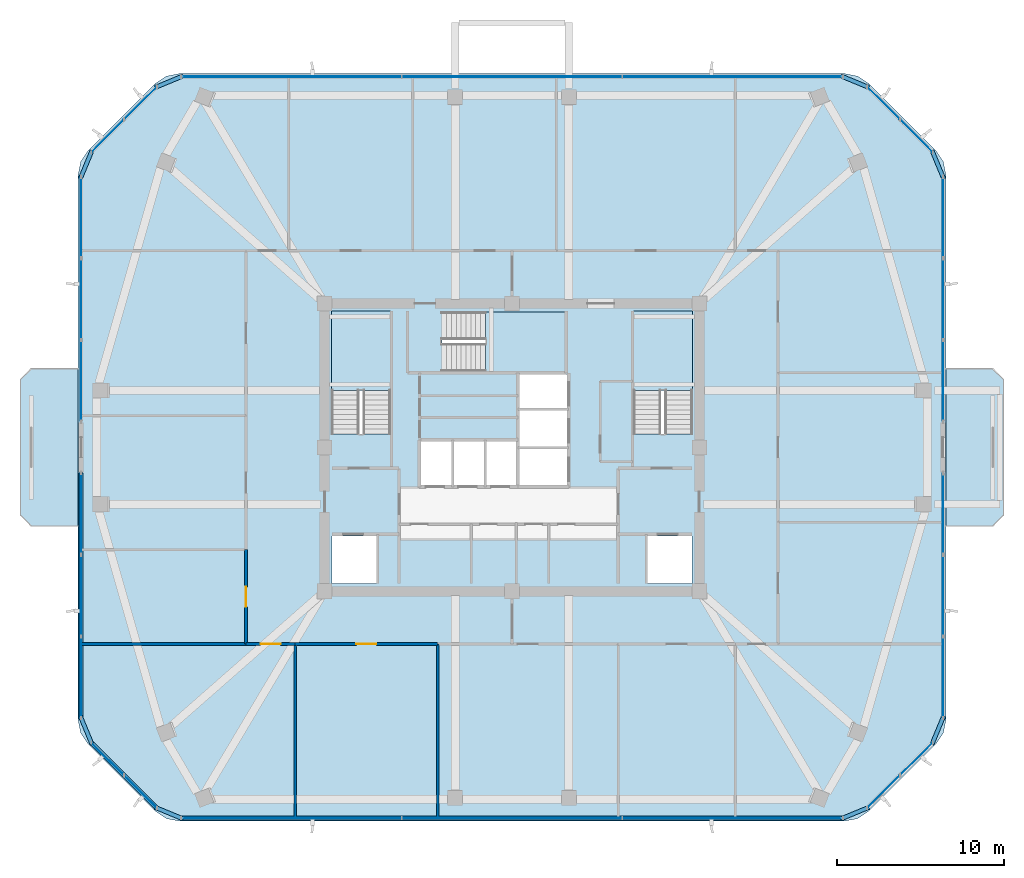
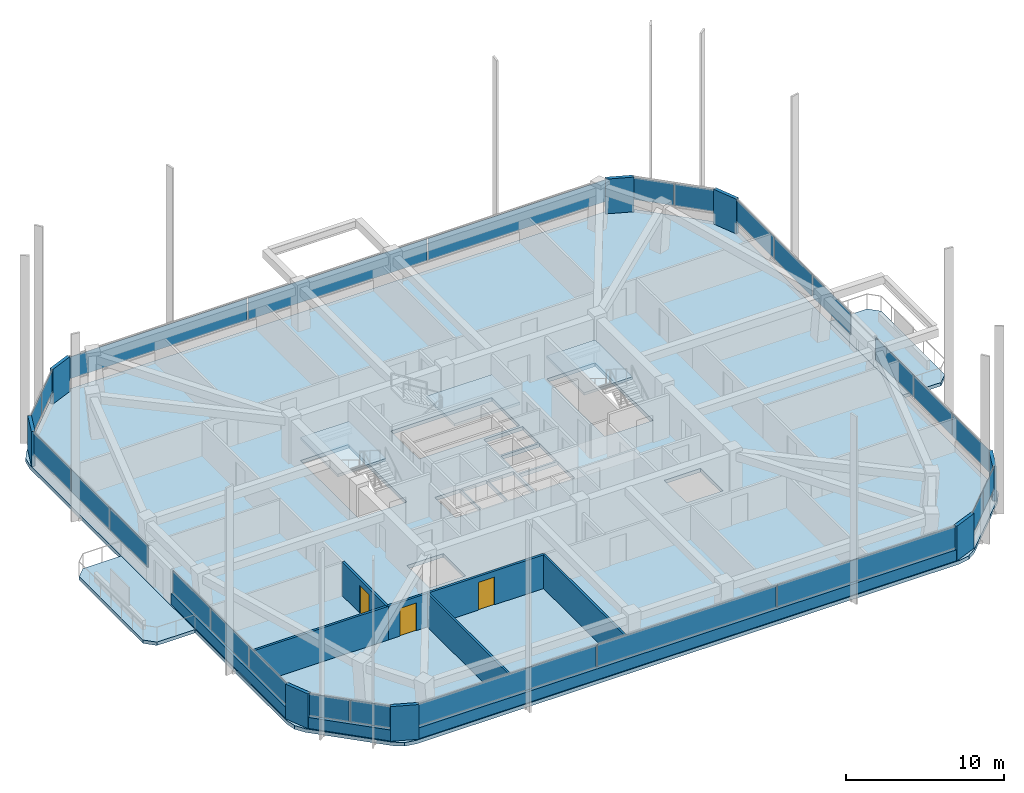
# One storey, part 9 of 17: 34 plates, 9 walls, 6 slabs, 3 doors, 3 openings, 13 elements without a shape of their own.
"""IFC4 building model written with IfcOpenShell, lengths in metres."""

from ifc_helpers import new_model, si_unit, derived_unit, direction, frame, frame_2d, origin, origin_2d, place, context, subcontext, project, spatial, polyline, rectangle, outline, extrude, material, layer, layer_set, type_object, element, fill, aggregate, save


model = new_model("IFC4")

# Units and contexts
model_context = context("Model", 3, precision=1e-05, world=origin(), true_north=direction((0.0, 1.0)))
body_context = subcontext(model_context, "Body", "Model", "MODEL_VIEW")
ifc_project = project(units=[si_unit("LENGTHUNIT", "METRE"), si_unit("AREAUNIT", "SQUARE_METRE"), si_unit("VOLUMEUNIT", "CUBIC_METRE"), si_unit("PLANEANGLEUNIT", "RADIAN"), si_unit("MASSUNIT", "GRAM", prefix="KILO"), derived_unit("THERMALTRANSMITTANCEUNIT", [(si_unit("POWERUNIT", "WATT"), 1), (si_unit("LENGTHUNIT", "METRE"), -2), (si_unit("THERMODYNAMICTEMPERATUREUNIT", "KELVIN"), -1)])], contexts=[model_context])

# Site, building, storey
site_placement = place(None, origin())
site = spatial("IfcSite", under=ifc_project, at=site_placement, CompositionType="ELEMENT")
building_placement = place(site_placement, origin())
building = spatial("IfcBuilding", under=site, at=building_placement, Name="Koralith Skygarden Medical Center", CompositionType="ELEMENT")
storey_placement = place(building_placement, frame((0.0, 0.0, 207.179931640625)))
storey = spatial("IfcBuildingStorey", under=building, at=storey_placement, Name="L53", CompositionType="ELEMENT", Elevation=207.179931640625)

# Curtain wall, plates
ifc_material_1 = material(Name="Clear Laminated Glass", Category="glass")
curtain_wall_type = type_object("IfcCurtainWallType", Name="CW-5 Zone 4 Flare Biophilic Curtain Wall", PredefinedType="NOTDEFINED", material=ifc_material_1)
curtain_wall_1_placement = place(storey_placement, origin())
curtain_wall_1 = element("IfcCurtainWall", 1, at=curtain_wall_1_placement, inside=storey, type_object=curtain_wall_type, Name="Curtain Wall CW-L53-S", PredefinedType="NOTDEFINED")
ifc_layer_1 = layer(ifc_material_1, 0.0380859375)
ifc_layer_set_1 = layer_set([ifc_layer_1], Name="Clear Laminated Glass")
plate_type_1 = type_object("IfcPlateType", Name="CW-5 Hurricane Laminated IGU Panel 38", PredefinedType="CURTAIN_PANEL", material=ifc_layer_set_1)
plate_1_placement = place(storey_placement, frame((23.81494140625, 3.742919921875, 0.919921875), z_axis=(0.0, 0.0, 1.0), x_axis=(1.0, 0.0, 0.0)))
plate_1 = element("IfcPlate", 2, at=plate_1_placement, type_object=plate_type_1, Name="CW-L53-S Glazed Panel 1", PredefinedType="CURTAIN_PANEL", context=body_context, shape_type="SweptSolid", body=[
    extrude(rectangle(XDim=13.094970703125, YDim=0.0380859375, at=origin_2d()), origin(), (0.0, 0.0, 1.0), 1.699951171875),
])
plate_2_placement = place(storey_placement, frame((37.0, 3.742919921875, 0.919921875), z_axis=(0.0, 0.0, 1.0), x_axis=(1.0, 0.0, 0.0)))
plate_2 = element("IfcPlate", 3, at=plate_2_placement, type_object=plate_type_1, Name="CW-L53-S Glazed Panel 2", PredefinedType="CURTAIN_PANEL", context=body_context, shape_type="SweptSolid", body=[
    extrude(rectangle(XDim=13.094970703125, YDim=0.0380859375, at=origin_2d()), origin(), (0.0, 0.0, 1.0), 1.699951171875),
])
plate_3_placement = place(storey_placement, frame((50.18505859375, 3.742919921875, 0.919921875), z_axis=(0.0, 0.0, 1.0), x_axis=(1.0, 0.0, 0.0)))
plate_3 = element("IfcPlate", 4, at=plate_3_placement, type_object=plate_type_1, Name="CW-L53-S Glazed Panel 3", PredefinedType="CURTAIN_PANEL", context=body_context, shape_type="SweptSolid", body=[
    extrude(rectangle(XDim=13.094970703125, YDim=0.0380859375, at=origin_2d()), origin(), (0.0, 0.0, 1.0), 1.699951171875),
])
aggregate(curtain_wall_1, [plate_1, plate_2, plate_3])

curtain_wall_2_placement = place(storey_placement, origin())
curtain_wall_2 = element("IfcCurtainWall", 5, at=curtain_wall_2_placement, inside=storey, type_object=curtain_wall_type, Name="Curtain Wall CW-L53-SE", PredefinedType="NOTDEFINED")
plate_4_placement = place(storey_placement, frame((59.208984375, 5.324951171875, 0.919921875), z_axis=(0.0, 0.0, 1.0), x_axis=(0.707106781187, 0.707106781187, 0.0)))
plate_4 = element("IfcPlate", 6, at=plate_4_placement, type_object=plate_type_1, Name="CW-L53-SE Glazed Panel 1", PredefinedType="CURTAIN_PANEL", context=body_context, shape_type="SweptSolid", body=[
    extrude(rectangle(XDim=2.68408203125, YDim=0.0380859375, at=origin_2d()), origin(), (0.0, 0.0, 1.0), 1.699951171875),
])
plate_5_placement = place(storey_placement, frame((61.169921875, 7.285888671875, 0.919921875), z_axis=(0.0, 0.0, 1.0), x_axis=(0.707106781187, 0.707106781187, 0.0)))
plate_5 = element("IfcPlate", 7, at=plate_5_placement, type_object=plate_type_1, Name="CW-L53-SE Glazed Panel 2", PredefinedType="CURTAIN_PANEL", context=body_context, shape_type="SweptSolid", body=[
    extrude(rectangle(XDim=2.68408203125, YDim=0.0380859375, at=origin_2d()), origin(), (0.0, 0.0, 1.0), 1.699951171875),
])
aggregate(curtain_wall_2, [plate_4, plate_5])

curtain_wall_3_placement = place(storey_placement, origin())
curtain_wall_3 = element("IfcCurtainWall", 8, at=curtain_wall_3_placement, inside=storey, type_object=curtain_wall_type, Name="Curtain Wall CW-L53-E-L", PredefinedType="NOTDEFINED")
plate_6_placement = place(storey_placement, frame((62.751953125, 12.157958984375, 0.919921875), z_axis=(0.0, 0.0, 1.0), x_axis=(0.0, 1.0, 0.0)))
plate_6 = element("IfcPlate", 9, at=plate_6_placement, type_object=plate_type_1, Name="CW-L53-E-L Glazed Panel 1", PredefinedType="CURTAIN_PANEL", context=body_context, shape_type="SweptSolid", body=[
    extrude(rectangle(XDim=4.7900390625, YDim=0.0380859375, at=origin_2d()), origin(), (0.0, 0.0, 1.0), 1.699951171875),
])
plate_7_placement = place(storey_placement, frame((62.751953125, 17.0380859375, 0.919921875), z_axis=(0.0, 0.0, 1.0), x_axis=(0.0, 1.0, 0.0)))
plate_7 = element("IfcPlate", 10, at=plate_7_placement, type_object=plate_type_1, Name="CW-L53-E-L Glazed Panel 2", PredefinedType="CURTAIN_PANEL", context=body_context, shape_type="SweptSolid", body=[
    extrude(rectangle(XDim=4.7900390625, YDim=0.0380859375, at=origin_2d()), origin(), (0.0, 0.0, 1.0), 1.699951171875),
])
plate_8_placement = place(storey_placement, frame((62.751953125, 21.9189453125, 0.919921875), z_axis=(0.0, 0.0, 1.0), x_axis=(0.0, 1.0, 0.0)))
plate_8 = element("IfcPlate", 11, at=plate_8_placement, type_object=plate_type_1, Name="CW-L53-E-L Glazed Panel 3", PredefinedType="CURTAIN_PANEL", context=body_context, shape_type="SweptSolid", body=[
    extrude(rectangle(XDim=4.7900390625, YDim=0.0380859375, at=origin_2d()), origin(), (0.0, 0.0, 1.0), 1.699951171875),
])
aggregate(curtain_wall_3, [plate_6, plate_7, plate_8])

curtain_wall_4_placement = place(storey_placement, origin())
curtain_wall_4 = element("IfcCurtainWall", 12, at=curtain_wall_4_placement, inside=storey, type_object=curtain_wall_type, Name="Curtain Wall CW-L53-E-R", PredefinedType="NOTDEFINED")
plate_9_placement = place(storey_placement, frame((62.751953125, 29.8798828125, 0.919921875), z_axis=(0.0, 0.0, 1.0), x_axis=(0.0, 1.0, 0.0)))
plate_9 = element("IfcPlate", 13, at=plate_9_placement, type_object=plate_type_1, Name="CW-L53-E-R Glazed Panel 1", PredefinedType="CURTAIN_PANEL", context=body_context, shape_type="SweptSolid", body=[
    extrude(rectangle(XDim=4.791015625, YDim=0.0380859375, at=origin_2d()), origin(), (0.0, 0.0, 1.0), 1.699951171875),
])
plate_10_placement = place(storey_placement, frame((62.751953125, 34.760986328125, 0.919921875), z_axis=(0.0, 0.0, 1.0), x_axis=(0.0, 1.0, 0.0)))
plate_10 = element("IfcPlate", 14, at=plate_10_placement, type_object=plate_type_1, Name="CW-L53-E-R Glazed Panel 2", PredefinedType="CURTAIN_PANEL", context=body_context, shape_type="SweptSolid", body=[
    extrude(rectangle(XDim=4.791015625, YDim=0.0380859375, at=origin_2d()), origin(), (0.0, 0.0, 1.0), 1.699951171875),
])
plate_11_placement = place(storey_placement, frame((62.751953125, 39.64208984375, 0.919921875), z_axis=(0.0, 0.0, 1.0), x_axis=(0.0, 1.0, 0.0)))
plate_11 = element("IfcPlate", 15, at=plate_11_placement, type_object=plate_type_1, Name="CW-L53-E-R Glazed Panel 3", PredefinedType="CURTAIN_PANEL", context=body_context, shape_type="SweptSolid", body=[
    extrude(rectangle(XDim=4.791015625, YDim=0.0380859375, at=origin_2d()), origin(), (0.0, 0.0, 1.0), 1.699951171875),
])
aggregate(curtain_wall_4, [plate_9, plate_10, plate_11])

curtain_wall_5_placement = place(storey_placement, origin())
curtain_wall_5 = element("IfcCurtainWall", 16, at=curtain_wall_5_placement, inside=storey, type_object=curtain_wall_type, Name="Curtain Wall CW-L53-NE", PredefinedType="NOTDEFINED")
plate_12_placement = place(storey_placement, frame((61.169921875, 44.513916015625, 0.919921875), z_axis=(0.0, 0.0, 1.0), x_axis=(-0.707106781187, 0.707106781187, 0.0)))
plate_12 = element("IfcPlate", 17, at=plate_12_placement, type_object=plate_type_1, Name="CW-L53-NE Glazed Panel 1", PredefinedType="CURTAIN_PANEL", context=body_context, shape_type="SweptSolid", body=[
    extrude(rectangle(XDim=2.68408203125, YDim=0.0380859375, at=origin_2d()), origin(), (0.0, 0.0, 1.0), 1.699951171875),
])
plate_13_placement = place(storey_placement, frame((59.208984375, 46.47509765625, 0.919921875), z_axis=(0.0, 0.0, 1.0), x_axis=(-0.707106781187, 0.707106781187, 0.0)))
plate_13 = element("IfcPlate", 18, at=plate_13_placement, type_object=plate_type_1, Name="CW-L53-NE Glazed Panel 2", PredefinedType="CURTAIN_PANEL", context=body_context, shape_type="SweptSolid", body=[
    extrude(rectangle(XDim=2.68408203125, YDim=0.0380859375, at=origin_2d()), origin(), (0.0, 0.0, 1.0), 1.699951171875),
])
aggregate(curtain_wall_5, [plate_12, plate_13])

curtain_wall_6_placement = place(storey_placement, origin())
curtain_wall_6 = element("IfcCurtainWall", 19, at=curtain_wall_6_placement, inside=storey, type_object=curtain_wall_type, Name="Curtain Wall CW-L53-N", PredefinedType="NOTDEFINED")
plate_14_placement = place(storey_placement, frame((50.18505859375, 48.056884765625, 0.919921875), z_axis=(0.0, 0.0, 1.0), x_axis=(-1.0, 0.0, 0.0)))
plate_14 = element("IfcPlate", 20, at=plate_14_placement, type_object=plate_type_1, Name="CW-L53-N Glazed Panel 1", PredefinedType="CURTAIN_PANEL", context=body_context, shape_type="SweptSolid", body=[
    extrude(rectangle(XDim=13.094970703125, YDim=0.0380859375, at=origin_2d()), origin(), (0.0, 0.0, 1.0), 1.699951171875),
])
plate_15_placement = place(storey_placement, frame((37.0, 48.056884765625, 0.919921875), z_axis=(0.0, 0.0, 1.0), x_axis=(-1.0, 0.0, 0.0)))
plate_15 = element("IfcPlate", 21, at=plate_15_placement, type_object=plate_type_1, Name="CW-L53-N Glazed Panel 2", PredefinedType="CURTAIN_PANEL", context=body_context, shape_type="SweptSolid", body=[
    extrude(rectangle(XDim=13.094970703125, YDim=0.0380859375, at=origin_2d()), origin(), (0.0, 0.0, 1.0), 1.699951171875),
])
plate_16_placement = place(storey_placement, frame((23.81494140625, 48.056884765625, 0.919921875), z_axis=(0.0, 0.0, 1.0), x_axis=(-1.0, 0.0, 0.0)))
plate_16 = element("IfcPlate", 22, at=plate_16_placement, type_object=plate_type_1, Name="CW-L53-N Glazed Panel 3", PredefinedType="CURTAIN_PANEL", context=body_context, shape_type="SweptSolid", body=[
    extrude(rectangle(XDim=13.094970703125, YDim=0.0380859375, at=origin_2d()), origin(), (0.0, 0.0, 1.0), 1.699951171875),
])
aggregate(curtain_wall_6, [plate_14, plate_15, plate_16])

curtain_wall_7_placement = place(storey_placement, origin())
curtain_wall_7 = element("IfcCurtainWall", 23, at=curtain_wall_7_placement, inside=storey, type_object=curtain_wall_type, Name="Curtain Wall CW-L53-NW", PredefinedType="NOTDEFINED")
plate_17_placement = place(storey_placement, frame((14.791015625, 46.47509765625, 0.919921875), z_axis=(0.0, 0.0, 1.0), x_axis=(-0.707106781187, -0.707106781187, 0.0)))
plate_17 = element("IfcPlate", 24, at=plate_17_placement, type_object=plate_type_1, Name="CW-L53-NW Glazed Panel 1", PredefinedType="CURTAIN_PANEL", context=body_context, shape_type="SweptSolid", body=[
    extrude(rectangle(XDim=2.68408203125, YDim=0.0380859375, at=origin_2d()), origin(), (0.0, 0.0, 1.0), 1.699951171875),
])
plate_18_placement = place(storey_placement, frame((12.830078125, 44.513916015625, 0.919921875), z_axis=(0.0, 0.0, 1.0), x_axis=(-0.707106781187, -0.707106781187, 0.0)))
plate_18 = element("IfcPlate", 25, at=plate_18_placement, type_object=plate_type_1, Name="CW-L53-NW Glazed Panel 2", PredefinedType="CURTAIN_PANEL", context=body_context, shape_type="SweptSolid", body=[
    extrude(rectangle(XDim=2.68408203125, YDim=0.0380859375, at=origin_2d()), origin(), (0.0, 0.0, 1.0), 1.699951171875),
])
aggregate(curtain_wall_7, [plate_17, plate_18])

curtain_wall_8_placement = place(storey_placement, origin())
curtain_wall_8 = element("IfcCurtainWall", 26, at=curtain_wall_8_placement, inside=storey, type_object=curtain_wall_type, Name="Curtain Wall CW-L53-W-L", PredefinedType="NOTDEFINED")
plate_19_placement = place(storey_placement, frame((11.2470703125, 39.64208984375, 0.919921875), z_axis=(0.0, 0.0, 1.0), x_axis=(0.0, -1.0, 0.0)))
plate_19 = element("IfcPlate", 27, at=plate_19_placement, type_object=plate_type_1, Name="CW-L53-W-L Glazed Panel 1", PredefinedType="CURTAIN_PANEL", context=body_context, shape_type="SweptSolid", body=[
    extrude(rectangle(XDim=4.7900390625, YDim=0.0380859375, at=origin_2d()), origin(), (0.0, 0.0, 1.0), 1.699951171875),
])
plate_20_placement = place(storey_placement, frame((11.2470703125, 34.760986328125, 0.919921875), z_axis=(0.0, 0.0, 1.0), x_axis=(0.0, -1.0, 0.0)))
plate_20 = element("IfcPlate", 28, at=plate_20_placement, type_object=plate_type_1, Name="CW-L53-W-L Glazed Panel 2", PredefinedType="CURTAIN_PANEL", context=body_context, shape_type="SweptSolid", body=[
    extrude(rectangle(XDim=4.7900390625, YDim=0.0380859375, at=origin_2d()), origin(), (0.0, 0.0, 1.0), 1.699951171875),
])
plate_21_placement = place(storey_placement, frame((11.2470703125, 29.881103515625, 0.919921875), z_axis=(0.0, 0.0, 1.0), x_axis=(0.0, -1.0, 0.0)))
plate_21 = element("IfcPlate", 29, at=plate_21_placement, type_object=plate_type_1, Name="CW-L53-W-L Glazed Panel 3", PredefinedType="CURTAIN_PANEL", context=body_context, shape_type="SweptSolid", body=[
    extrude(rectangle(XDim=4.7900390625, YDim=0.0380859375, at=origin_2d()), origin(), (0.0, 0.0, 1.0), 1.699951171875),
])
aggregate(curtain_wall_8, [plate_19, plate_20, plate_21])

curtain_wall_9_placement = place(storey_placement, origin())
curtain_wall_9 = element("IfcCurtainWall", 30, at=curtain_wall_9_placement, inside=storey, type_object=curtain_wall_type, Name="Curtain Wall CW-L53-W-R", PredefinedType="NOTDEFINED")
plate_22_placement = place(storey_placement, frame((11.2470703125, 21.9208984375, 0.919921875), z_axis=(0.0, 0.0, 1.0), x_axis=(0.0, -1.0, 0.0)))
plate_22 = element("IfcPlate", 31, at=plate_22_placement, type_object=plate_type_1, Name="CW-L53-W-R Glazed Panel 1", PredefinedType="CURTAIN_PANEL", context=body_context, shape_type="SweptSolid", body=[
    extrude(rectangle(XDim=4.791015625, YDim=0.0380859375, at=origin_2d()), origin(), (0.0, 0.0, 1.0), 1.699951171875),
])
plate_23_placement = place(storey_placement, frame((11.2470703125, 17.0400390625, 0.919921875), z_axis=(0.0, 0.0, 1.0), x_axis=(0.0, -1.0, 0.0)))
plate_23 = element("IfcPlate", 32, at=plate_23_placement, type_object=plate_type_1, Name="CW-L53-W-R Glazed Panel 2", PredefinedType="CURTAIN_PANEL", context=body_context, shape_type="SweptSolid", body=[
    extrude(rectangle(XDim=4.791015625, YDim=0.0380859375, at=origin_2d()), origin(), (0.0, 0.0, 1.0), 1.699951171875),
])
plate_24_placement = place(storey_placement, frame((11.2470703125, 12.158935546875, 0.919921875), z_axis=(0.0, 0.0, 1.0), x_axis=(0.0, -1.0, 0.0)))
plate_24 = element("IfcPlate", 33, at=plate_24_placement, type_object=plate_type_1, Name="CW-L53-W-R Glazed Panel 3", PredefinedType="CURTAIN_PANEL", context=body_context, shape_type="SweptSolid", body=[
    extrude(rectangle(XDim=4.791015625, YDim=0.0380859375, at=origin_2d()), origin(), (0.0, 0.0, 1.0), 1.699951171875),
])
aggregate(curtain_wall_9, [plate_22, plate_23, plate_24])

curtain_wall_10_placement = place(storey_placement, origin())
curtain_wall_10 = element("IfcCurtainWall", 34, at=curtain_wall_10_placement, inside=storey, type_object=curtain_wall_type, Name="Curtain Wall CW-L53-SW", PredefinedType="NOTDEFINED")
plate_25_placement = place(storey_placement, frame((12.830078125, 7.285888671875, 0.919921875), z_axis=(0.0, 0.0, 1.0), x_axis=(0.707106781187, -0.707106781187, 0.0)))
plate_25 = element("IfcPlate", 35, at=plate_25_placement, type_object=plate_type_1, Name="CW-L53-SW Glazed Panel 1", PredefinedType="CURTAIN_PANEL", context=body_context, shape_type="SweptSolid", body=[
    extrude(rectangle(XDim=2.68408203125, YDim=0.0380859375, at=origin_2d()), origin(), (0.0, 0.0, 1.0), 1.699951171875),
])
plate_26_placement = place(storey_placement, frame((14.791015625, 5.324951171875, 0.919921875), z_axis=(0.0, 0.0, 1.0), x_axis=(0.707106781187, -0.707106781187, 0.0)))
plate_26 = element("IfcPlate", 36, at=plate_26_placement, type_object=plate_type_1, Name="CW-L53-SW Glazed Panel 2", PredefinedType="CURTAIN_PANEL", context=body_context, shape_type="SweptSolid", body=[
    extrude(rectangle(XDim=2.68408203125, YDim=0.0380859375, at=origin_2d()), origin(), (0.0, 0.0, 1.0), 1.699951171875),
])
aggregate(curtain_wall_10, [plate_25, plate_26])

# Slabs
ifc_material_2 = material(Name="Concrete C45/55", Category="concrete")
ifc_layer_2 = layer(ifc_material_2, 0.260009765625)
ifc_layer_set_2 = layer_set([ifc_layer_2], Name="Concrete C45/55")
slab_type_1 = type_object("IfcSlabType", Name="Cantilevered Planted Balcony Slab 260", PredefinedType="FLOOR", material=ifc_layer_set_2)
slab_1_placement = place(storey_placement, frame((0.0, 0.0, -0.260009765625)))
element("IfcSlab", 37, at=slab_1_placement, inside=storey, type_object=slab_type_1, Name="L53 E Planted Sky-Garden Balcony Slab", PredefinedType="FLOOR", context=body_context, shape_type="SweptSolid", body=[
    extrude(outline(polyline([(62.93310546875, 21.199951171875), (65.73291015625, 21.199951171875), (66.383056640625, 21.85009765625), (66.383056640625, 29.949951171875), (65.73291015625, 30.60009765625), (62.93310546875, 30.60009765625), (62.93310546875, 21.199951171875)])), origin(), (0.0, 0.0, 1.0), 0.260009765625),
])
slab_2_placement = place(storey_placement, frame((0.0, 0.0, -0.260009765625)))
element("IfcSlab", 38, at=slab_2_placement, inside=storey, type_object=slab_type_1, Name="L53 W Planted Sky-Garden Balcony Slab", PredefinedType="FLOOR", context=body_context, shape_type="SweptSolid", body=[
    extrude(outline(polyline([(8.26708984375, 21.199951171875), (11.06689453125, 21.199951171875), (11.06689453125, 30.60009765625), (8.26708984375, 30.60009765625), (7.616943359375, 29.949951171875), (7.616943359375, 21.85009765625), (8.26708984375, 21.199951171875)])), origin(), (0.0, 0.0, 1.0), 0.260009765625),
])

# Stair, slab
stair_type = type_object("IfcStairType", Name="Core Exit Dogleg Concrete Stair", PredefinedType="HALF_TURN_STAIR", material=ifc_material_2)
stair_1_placement = place(storey_placement, origin())
stair_1 = element("IfcStair", 39, at=stair_1_placement, inside=storey, type_object=stair_type, Name="L53 Smokeproof Exit Stair ST1", PredefinedType="HALF_TURN_STAIR")
ifc_layer_3 = layer(ifc_material_2, 0.199951171875)
ifc_layer_set_3 = layer_set([ifc_layer_3], Name="Concrete C45/55")
slab_type_2 = type_object("IfcSlabType", Name="Core Exit Concrete Stair Landing 200", PredefinedType="LANDING", material=ifc_layer_set_3)
slab_3_placement = place(storey_placement, frame((0.0, 0.0, 1.60009765625)))
slab_3 = element("IfcSlab", 40, at=slab_3_placement, type_object=slab_type_2, Name="ST1 landing 1", PredefinedType="LANDING", context=body_context, shape_type="SweptSolid", body=[
    extrude(outline(polyline([(29.75, 29.31005859375), (29.75, 34.050048828125), (26.199951171875, 34.050048828125), (26.199951171875, 29.31005859375), (29.75, 29.31005859375)])), origin(), (0.0, 0.0, 1.0), 0.199951171875),
])
aggregate(stair_1, [slab_3])

stair_2_placement = place(storey_placement, origin())
stair_2 = element("IfcStair", 41, at=stair_2_placement, inside=storey, type_object=stair_type, Name="L53 Smokeproof Exit Stair ST2", PredefinedType="HALF_TURN_STAIR")
slab_4_placement = place(storey_placement, frame((0.0, 0.0, 1.60009765625)))
slab_4 = element("IfcSlab", 42, at=slab_4_placement, type_object=slab_type_2, Name="ST2 landing 1", PredefinedType="LANDING", context=body_context, shape_type="SweptSolid", body=[
    extrude(outline(polyline([(47.800048828125, 29.31005859375), (47.800048828125, 34.050048828125), (44.25, 34.050048828125), (44.25, 29.31005859375), (47.800048828125, 29.31005859375)])), origin(), (0.0, 0.0, 1.0), 0.199951171875),
])
aggregate(stair_2, [slab_4])

stair_3_placement = place(storey_placement, origin())
stair_3 = element("IfcStair", 43, at=stair_3_placement, inside=storey, type_object=stair_type, Name="L53 Smokeproof Exit Stair ST3", PredefinedType="HALF_TURN_STAIR")
slab_5_placement = place(storey_placement, frame((0.0, 0.0, 1.60009765625)))
slab_5 = element("IfcSlab", 44, at=slab_5_placement, type_object=slab_type_2, Name="ST3 landing 1", PredefinedType="LANDING", context=body_context, shape_type="SweptSolid", body=[
    extrude(outline(polyline([(35.409912109375, 30.449951171875), (40.199951171875, 30.449951171875), (40.199951171875, 34.0), (35.409912109375, 34.0), (35.409912109375, 30.449951171875)])), origin(), (0.0, 0.0, 1.0), 0.199951171875),
])
aggregate(stair_3, [slab_5])

# Slab
ifc_layer_4 = layer(ifc_material_2, 0.280029296875)
ifc_layer_set_4 = layer_set([ifc_layer_4], Name="Concrete C45/55")
slab_type_3 = type_object("IfcSlabType", Name="Post-Tensioned Ward Floor Plate 280", PredefinedType="FLOOR", material=ifc_layer_set_4)
slab_6_placement = place(storey_placement, frame((0.0, 0.0, -0.280029296875)))
element("IfcSlab", 45, at=slab_6_placement, inside=storey, type_object=slab_type_3, Name="Level L53 Structural Floor Slab", PredefinedType="FLOOR", context=body_context, shape_type="SweptSolid", body=[
    extrude(outline(polyline([(15.681884765625, 4.14892578125), (16.3310546875, 3.715087890625), (17.095947265625, 3.56298828125), (56.904052734375, 3.56298828125), (57.6689453125, 3.715087890625), (58.318115234375, 4.14892578125), (62.346923828125, 8.177001953125), (62.780029296875, 8.825927734375), (62.93310546875, 9.591064453125), (62.93310546875, 42.208984375), (62.780029296875, 42.97412109375), (62.346923828125, 43.623046875), (58.318115234375, 47.65087890625), (57.6689453125, 48.0849609375), (56.904052734375, 48.237060546875), (17.095947265625, 48.237060546875), (16.3310546875, 48.0849609375), (15.681884765625, 47.65087890625), (11.653076171875, 43.623046875), (11.219970703125, 42.97412109375), (11.06689453125, 42.208984375), (11.06689453125, 9.591064453125), (11.219970703125, 8.825927734375), (11.653076171875, 8.177001953125), (15.681884765625, 4.14892578125)]), holes=[polyline([(26.199951171875, 26.705078125), (29.75, 26.705078125), (29.75, 34.050048828125), (26.199951171875, 34.050048828125), (26.199951171875, 26.705078125)]), polyline([(44.25, 26.705078125), (47.800048828125, 26.705078125), (47.800048828125, 34.050048828125), (44.25, 34.050048828125), (44.25, 26.705078125)]), polyline([(32.804931640625, 30.449951171875), (40.199951171875, 30.449951171875), (40.199951171875, 34.0), (32.804931640625, 34.0), (32.804931640625, 30.449951171875)]), polyline([(26.25, 17.75), (28.89990234375, 17.75), (28.89990234375, 20.60009765625), (26.25, 20.60009765625), (26.25, 17.75)]), polyline([(45.10009765625, 17.75), (47.75, 17.75), (47.75, 20.60009765625), (45.10009765625, 20.60009765625), (45.10009765625, 17.75)]), polyline([(31.550048828125, 23.64990234375), (33.39990234375, 23.64990234375), (33.39990234375, 26.25), (31.550048828125, 26.25), (31.550048828125, 23.64990234375)]), polyline([(33.5, 23.64990234375), (35.35009765625, 23.64990234375), (35.35009765625, 26.25), (33.5, 26.25), (33.5, 23.64990234375)]), polyline([(35.449951171875, 23.64990234375), (37.300048828125, 23.64990234375), (37.300048828125, 26.25), (35.449951171875, 26.25), (35.449951171875, 23.64990234375)]), polyline([(37.449951171875, 23.64990234375), (40.300048828125, 23.64990234375), (40.300048828125, 25.800048828125), (37.449951171875, 25.800048828125), (37.449951171875, 23.64990234375)]), polyline([(37.449951171875, 25.949951171875), (40.300048828125, 25.949951171875), (40.300048828125, 28.10009765625), (37.449951171875, 28.10009765625), (37.449951171875, 25.949951171875)]), polyline([(37.449951171875, 28.25), (40.300048828125, 28.25), (40.300048828125, 30.25), (37.449951171875, 30.25), (37.449951171875, 28.25)])]), origin(), (0.0, 0.0, 1.0), 0.280029296875),
])

# Plates
ifc_material_3 = material(Name="Warm Oolitic Limestone Cladding", Category="masonry")
ifc_layer_5 = layer(ifc_material_3, 0.239990234375)
ifc_layer_set_5 = layer_set([ifc_layer_5], Name="Warm Oolitic Limestone Cladding")
plate_type_2 = type_object("IfcPlateType", Name="Rounded-Corner Oolitic Limestone Cladding Panel 240", PredefinedType="USERDEFINED", material=ifc_layer_set_5)
for number, where, z_axis, x_axis, name in (
    (46, (57.501953125, 4.04296875, 0.0), (0.0, 0.0, 1.0), (0.92388487569, 0.382670532536, 0.0), "L53 Rounded-Corner Limestone Pier 1"),
    (47, (62.451904296875, 8.991943359375, 0.0), (0.0, 0.0, 1.0), (0.382670532536, 0.92388487569, 0.0), "L53 Rounded-Corner Limestone Pier 2"),
    (48, (62.451904296875, 42.80810546875, 0.0), (0.0, 0.0, 1.0), (-0.382670532536, 0.92388487569, 0.0), "L53 Rounded-Corner Limestone Pier 3"),
    (49, (57.501953125, 47.757080078125, 0.0), (0.0, 0.0, 1.0), (-0.92388487569, 0.382670532536, 0.0), "L53 Rounded-Corner Limestone Pier 4"),
    (50, (16.4970703125, 47.757080078125, 0.0), (0.0, 0.0, 1.0), (-0.92388487569, -0.382670532536, 0.0), "L53 Rounded-Corner Limestone Pier 5"),
    (51, (11.548095703125, 42.80810546875, 0.0), (0.0, 0.0, 1.0), (-0.383213873184, -0.923659638286, 0.0), "L53 Rounded-Corner Limestone Pier 6"),
    (52, (11.548095703125, 8.991943359375, 0.0), (0.0, 0.0, 1.0), (0.383213873184, -0.923659638286, 0.0), "L53 Rounded-Corner Limestone Pier 7"),
    (53, (16.4970703125, 4.04296875, 0.0), (0.0, 0.0, 1.0), (0.92388487569, -0.382670532536, 0.0), "L53 Rounded-Corner Limestone Pier 8"),
):
    element("IfcPlate", number, at=place(storey_placement, frame(where, z_axis=z_axis, x_axis=x_axis)), inside=storey, type_object=plate_type_2, Name=name, ObjectType="LIMESTONE CLADDING", PredefinedType="USERDEFINED", context=body_context, shape_type="SweptSolid", body=[
        extrude(rectangle(XDim=1.81103515625, YDim=0.239990234375, at=origin_2d()), origin(), (0.0, 0.0, 1.0), 2.68994140625),
    ])

# Walls
ifc_material_4 = material(Name="Gypsum Board Partition")
ifc_layer_6 = layer(ifc_material_4, 0.14990234375)
ifc_layer_set_6 = layer_set([ifc_layer_6], Name="Gypsum Board Partition")
wall_type_1 = type_object("IfcWallType", Name="Clinical Acoustic Partition 150", PredefinedType="PARTITIONING", material=ifc_layer_set_6)
for number, where, z_axis, x_axis, name in (
    (54, (24.041015625, 14.14990234375, 0.0), (0.0, 0.0, 1.0), (0.0, -1.0, 0.0), "L53 Clinical Acoustic Partition 150 W-PART-L53-S-01"),
    (55, (32.552001953125, 14.14990234375, 0.0), (0.0, 0.0, 1.0), (0.0, -1.0, 0.0), "L53 Clinical Acoustic Partition 150 W-PART-L53-S-02"),
):
    element("IfcWall", number, at=place(storey_placement, frame(where, z_axis=z_axis, x_axis=x_axis)), inside=storey, type_object=wall_type_1, Name=name, PredefinedType="PARTITIONING", context=body_context, shape_type="SweptSolid", body=[
        extrude(rectangle(XDim=10.386962890625, YDim=0.14990234375, at=frame_2d((5.193359375, 0.0))), origin(), (0.0, 0.0, 1.0), 2.610107421875),
    ])
ifc_layer_7 = layer(ifc_material_4, 0.1650390625)
ifc_layer_set_7 = layer_set([ifc_layer_7], Name="Gypsum Board Partition")
wall_type_2 = type_object("IfcWallType", Name="Clinical Corridor Partition 165", PredefinedType="PARTITIONING", material=ifc_layer_set_7)
wall_1_placement = place(storey_placement, frame((11.26708984375, 14.14990234375, 0.0), z_axis=(0.0, 0.0, 1.0), x_axis=(1.0, 0.0, 0.0)))
element("IfcWall", 56, at=wall_1_placement, inside=storey, type_object=wall_type_2, Name="L53 Clinical Corridor Partition 165 W-WB-L53-SW", PredefinedType="PARTITIONING", context=body_context, shape_type="SweptSolid", body=[
    extrude(rectangle(XDim=9.8330078125, YDim=0.1650390625, at=frame_2d((4.91650390625, 0.0))), origin(), (0.0, 0.0, 1.0), 2.610107421875),
])

# Wall, opening, door
wall_2_placement = place(storey_placement, frame((21.10009765625, 14.14990234375, 0.0), z_axis=(0.0, 0.0, 1.0), x_axis=(1.0, 0.0, 0.0)))
wall_2 = element("IfcWall", 57, at=wall_2_placement, inside=storey, type_object=wall_type_2, Name="L53 Clinical Corridor Partition 165 W-CORR-L53-S-01", PredefinedType="PARTITIONING", context=body_context, shape_type="SweptSolid", body=[
    extrude(rectangle(XDim=2.94091796875, YDim=0.1650390625, at=frame_2d((1.470458984375, 0.0))), origin(), (0.0, 0.0, 1.0), 2.610107421875),
])
opening_1_placement = place(wall_2_placement, frame((0.8701171875, 0.0, 0.0)))
opening_1 = element("IfcOpeningElement", 58, at=opening_1_placement, cuts=wall_2, Name="Opening D-CLN", PredefinedType="OPENING", context=body_context, shape_type="SweptSolid", body=[
    extrude(rectangle(XDim=1.199951171875, YDim=2.14990234375, at=frame_2d((0.60009765625, 1.074951171875))), frame((0.0, 0.092529296875, 0.0), z_axis=(0.0, -1.0, 0.0), x_axis=(1.0, 0.0, 0.0)), (0.0, 0.0, 1.0), 0.18505859375),
])
ifc_material_5 = material(Name="Aluminium 6063-T6", Category="aluminium")
door_type = type_object("IfcDoorType", Name="Clinical Corridor Door D-CLN 1200", OperationType="NOTDEFINED", PredefinedType="DOOR", material=ifc_material_5)
door_1_placement = place(opening_1_placement, frame((1.199951171875, 0.0, 0.0), z_axis=(0.0, 0.0, 1.0), x_axis=(-1.0, 0.0, 0.0)))
door_1 = element("IfcDoor", 59, at=door_1_placement, inside=storey, type_object=door_type, Name="L53 Sterile Catheter Supply Store 06 Door", OperationType="SINGLE_SWING_LEFT", OverallHeight=2.14990234375, OverallWidth=1.199951171875, PredefinedType="DOOR", context=body_context, shape_type="SweptSolid", body=[
    extrude(rectangle(XDim=1.199951171875, YDim=2.14990234375, at=frame_2d((0.60009765625, 1.074951171875))), frame((0.0, 0.02490234375, 0.0), z_axis=(0.0, -1.0, 0.0), x_axis=(1.0, 0.0, 0.0)), (0.0, 0.0, 1.0), 0.050048828125),
])
fill(opening_1, door_1)

wall_3_placement = place(storey_placement, frame((24.041015625, 14.14990234375, 0.0), z_axis=(0.0, 0.0, 1.0), x_axis=(1.0, 0.0, 0.0)))
wall_3 = element("IfcWall", 60, at=wall_3_placement, inside=storey, type_object=wall_type_2, Name="L53 Clinical Corridor Partition 165 W-CORR-L53-S-02", PredefinedType="PARTITIONING", context=body_context, shape_type="SweptSolid", body=[
    extrude(rectangle(XDim=8.510986328125, YDim=0.1650390625, at=frame_2d((4.25537109375, 0.0))), origin(), (0.0, 0.0, 1.0), 2.610107421875),
])
opening_2_placement = place(wall_3_placement, frame((3.655029296875, 0.0, 0.0)))
opening_2 = element("IfcOpeningElement", 61, at=opening_2_placement, cuts=wall_3, Name="Opening D-CLN", PredefinedType="OPENING", context=body_context, shape_type="SweptSolid", body=[
    extrude(rectangle(XDim=1.199951171875, YDim=2.14990234375, at=frame_2d((0.60009765625, 1.074951171875))), frame((0.0, 0.092529296875, 0.0), z_axis=(0.0, -1.0, 0.0), x_axis=(1.0, 0.0, 0.0)), (0.0, 0.0, 1.0), 0.18505859375),
])
door_2_placement = place(opening_2_placement, frame((1.199951171875, 0.0, 0.0), z_axis=(0.0, 0.0, 1.0), x_axis=(-1.0, 0.0, 0.0)))
door_2 = element("IfcDoor", 62, at=door_2_placement, inside=storey, type_object=door_type, Name="L53 Clinical Trials Huddle Room 07 Door", OperationType="SINGLE_SWING_RIGHT", OverallHeight=2.14990234375, OverallWidth=1.199951171875, PredefinedType="DOOR", context=body_context, shape_type="SweptSolid", body=[
    extrude(rectangle(XDim=1.199951171875, YDim=2.14990234375, at=frame_2d((0.60009765625, 1.074951171875))), frame((0.0, 0.02490234375, 0.0), z_axis=(0.0, -1.0, 0.0), x_axis=(1.0, 0.0, 0.0)), (0.0, 0.0, 1.0), 0.050048828125),
])
fill(opening_2, door_2)

wall_4_placement = place(storey_placement, frame((21.10009765625, 14.14990234375, 0.0), z_axis=(0.0, 0.0, 1.0), x_axis=(0.0, 1.0, 0.0)))
wall_4 = element("IfcWall", 63, at=wall_4_placement, inside=storey, type_object=wall_type_2, Name="L53 Clinical Corridor Partition 165 W-CORR-L53-W-01", PredefinedType="PARTITIONING", context=body_context, shape_type="SweptSolid", body=[
    extrude(rectangle(XDim=5.64013671875, YDim=0.1650390625, at=frame_2d((2.820068359375, 0.0))), origin(), (0.0, 0.0, 1.0), 2.610107421875),
])
opening_3_placement = place(wall_4_placement, frame((2.219970703125, 0.0, 0.0)))
opening_3 = element("IfcOpeningElement", 64, at=opening_3_placement, cuts=wall_4, Name="Opening D-CLN", PredefinedType="OPENING", context=body_context, shape_type="SweptSolid", body=[
    extrude(rectangle(XDim=1.199951171875, YDim=2.14990234375, at=frame_2d((0.60009765625, 1.074951171875))), frame((0.0, 0.092529296875, 0.0), z_axis=(0.0, -1.0, 0.0), x_axis=(1.0, 0.0, 0.0)), (0.0, 0.0, 1.0), 0.18505859375),
])
door_3_placement = place(opening_3_placement, frame((1.199951171875, 0.0, 0.0), z_axis=(0.0, 0.0, 1.0), x_axis=(-1.0, 0.0, 0.0)))
door_3 = element("IfcDoor", 65, at=door_3_placement, inside=storey, type_object=door_type, Name="L53 Clinical Trials Huddle Room 11 Door", OperationType="SINGLE_SWING_RIGHT", OverallHeight=2.14990234375, OverallWidth=1.199951171875, PredefinedType="DOOR", context=body_context, shape_type="SweptSolid", body=[
    extrude(rectangle(XDim=1.199951171875, YDim=2.14990234375, at=frame_2d((0.60009765625, 1.074951171875))), frame((0.0, 0.02490234375, 0.0), z_axis=(0.0, -1.0, 0.0), x_axis=(1.0, 0.0, 0.0)), (0.0, 0.0, 1.0), 0.050048828125),
])
fill(opening_3, door_3)

# Walls
ifc_layer_8 = layer(ifc_material_3, 0.239990234375)
ifc_layer_set_8 = layer_set([ifc_layer_8], Name="Warm Oolitic Limestone Cladding")
wall_type_3 = type_object("IfcWallType", Name="Limestone Spandrel Sill Backup Wall 240", PredefinedType="SOLIDWALL", material=ifc_layer_set_8)
wall_5_placement = place(storey_placement, frame((17.222900390625, 3.742919921875, 0.0), z_axis=(0.0, 0.0, 1.0), x_axis=(1.0, 0.0, 0.0)))
element("IfcWall", 66, at=wall_5_placement, inside=storey, type_object=wall_type_3, Name="L53 Sill Spandrel S", PredefinedType="SOLIDWALL", context=body_context, shape_type="SweptSolid", body=[
    extrude(rectangle(XDim=39.55419921875, YDim=0.239990234375, at=frame_2d((19.777099609375, 0.0))), origin(), (0.0, 0.0, 1.0), 0.85009765625),
])
wall_6_placement = place(storey_placement, frame((11.2470703125, 24.361083984375, 0.0), z_axis=(0.0, 0.0, 1.0), x_axis=(0.0, -1.0, 0.0)))
element("IfcWall", 67, at=wall_6_placement, inside=storey, type_object=wall_type_3, Name="L53 Sill Spandrel W-R", PredefinedType="SOLIDWALL", context=body_context, shape_type="SweptSolid", body=[
    extrude(rectangle(XDim=14.64306640625, YDim=0.239990234375, at=frame_2d((7.321533203125, 0.0))), origin(), (0.0, 0.0, 1.0), 0.85009765625),
])
wall_7_placement = place(storey_placement, frame((11.84912109375, 8.26708984375, 0.0), z_axis=(0.0, 0.0, 1.0), x_axis=(0.707084777957, -0.707128783731, 0.0)))
element("IfcWall", 68, at=wall_7_placement, inside=storey, type_object=wall_type_3, Name="L53 Sill Spandrel SW", PredefinedType="SOLIDWALL", context=body_context, shape_type="SweptSolid", body=[
    extrude(rectangle(XDim=5.5478515625, YDim=0.239990234375, at=frame_2d((2.77392578125, 0.0))), origin(), (0.0, 0.0, 1.0), 0.85009765625),
])

save(model, "model.ifc")
